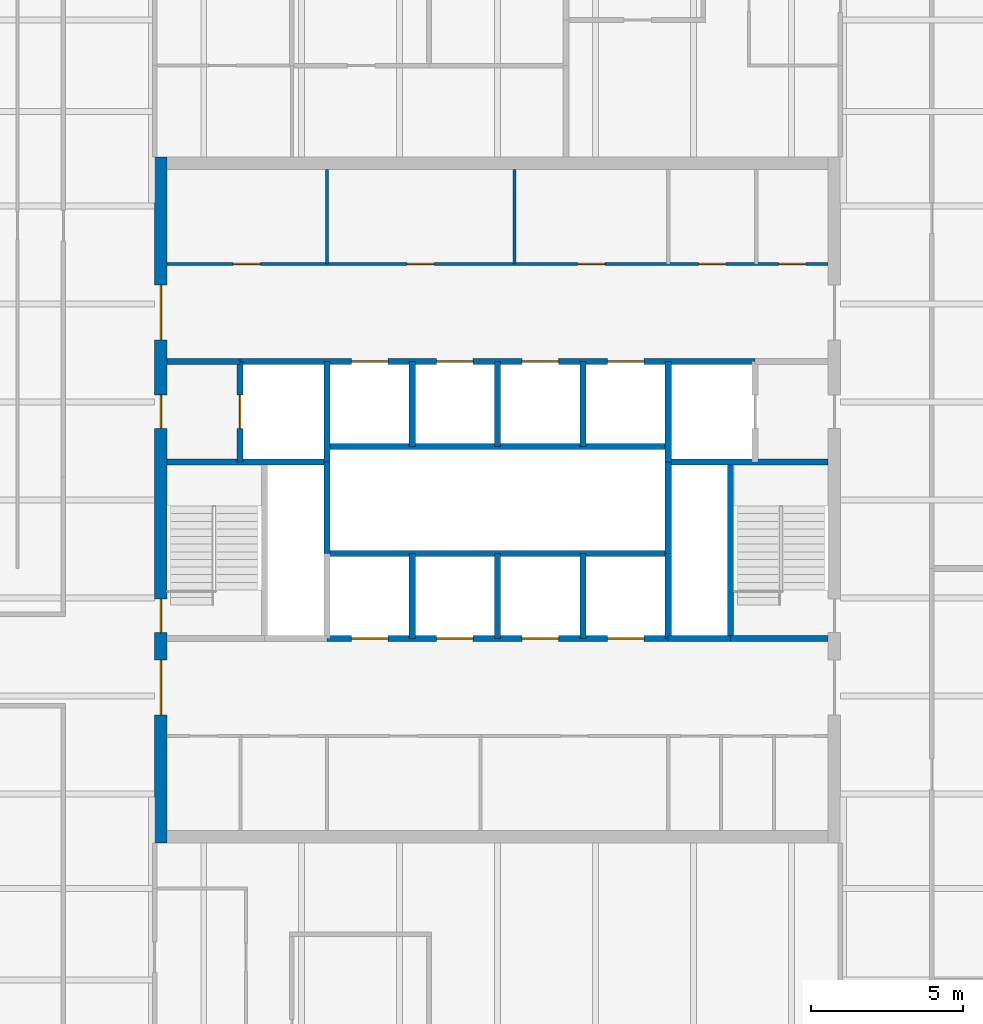
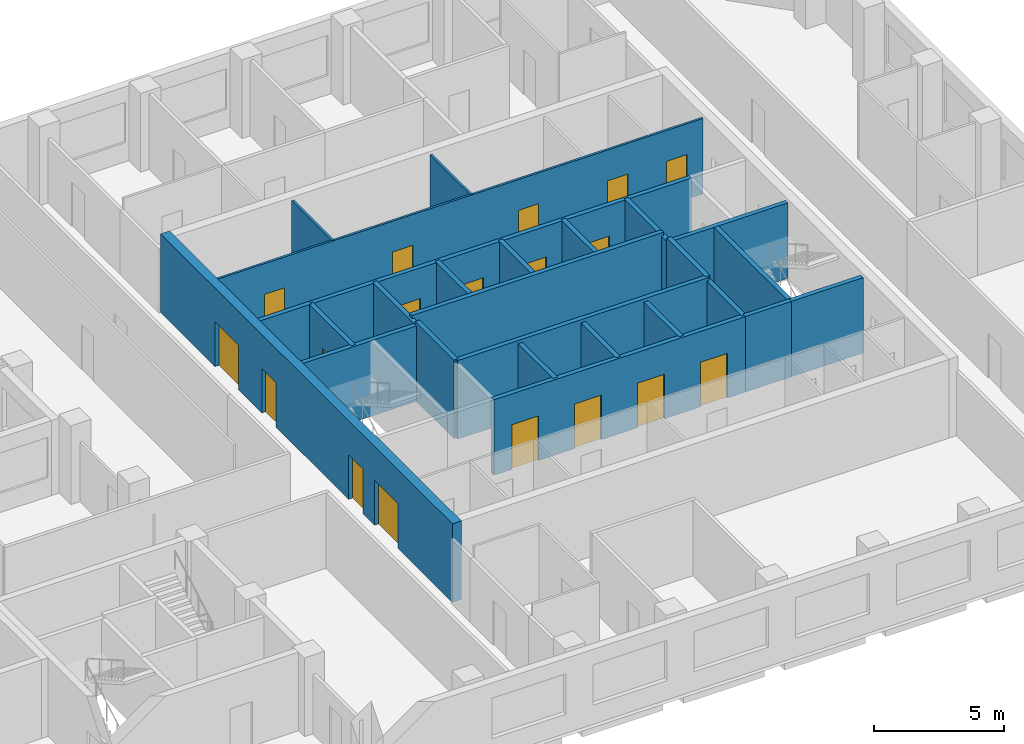
# One storey, part 5 of 9: 26 walls, 18 doors, 18 openings.
"""IFC4 building model written with IfcOpenShell, lengths in metres."""

from ifc_helpers import new_model, si_unit, direction, frame, frame_2d, origin, place, context, subcontext, project, spatial, rectangle, extrude, material, layer, layer_set, type_object, element, fill, save


model = new_model("IFC4")

# Units and contexts
model_context = context("Model", 3, precision=1e-05, world=origin(), true_north=direction((0.0, 1.0)))
body_context = subcontext(model_context, "Body", "Model", "MODEL_VIEW")
ifc_project = project(units=[si_unit("LENGTHUNIT", "METRE"), si_unit("AREAUNIT", "SQUARE_METRE"), si_unit("VOLUMEUNIT", "CUBIC_METRE"), si_unit("PLANEANGLEUNIT", "RADIAN"), si_unit("MASSUNIT", "GRAM", prefix="KILO")], contexts=[model_context])

# Site, building, storey
site_placement = place(None, origin())
site = spatial("IfcSite", under=ifc_project, at=site_placement, CompositionType="ELEMENT")
building_placement = place(site_placement, origin())
building = spatial("IfcBuilding", under=site, at=building_placement, Name="Quoin Convention Tower", CompositionType="ELEMENT")
storey_placement = place(building_placement, frame((0.0, 0.0, 155.10009765625)))
storey = spatial("IfcBuildingStorey", under=building, at=storey_placement, Name="L40", CompositionType="ELEMENT", Elevation=155.10009765625)

# Wall, openings, doors
ifc_material_1 = material(Name="Plasterboard")
ifc_layer_1 = layer(ifc_material_1, 0.012451171875, Name="Finish")
ifc_material_2 = material(Name="Steel stud framing", Category="steel")
ifc_layer_2 = layer(ifc_material_2, 0.074951171875, Name="Structure")
ifc_layer_3 = layer(ifc_material_1, 0.012451171875, Name="Finish")
ifc_layer_set_1 = layer_set([ifc_layer_1, ifc_layer_2, ifc_layer_3], Name="Steel stud framing")
wall_type_1 = type_object("IfcWallType", Name="Core partition wall", PredefinedType="PARTITIONING", material=ifc_layer_set_1)
wall_1_placement = place(storey_placement, frame((45.39990234375, 68.5, 0.0), z_axis=(0.0, 0.0, 1.0), x_axis=(1.0, 0.0, 0.0)))
wall_1 = element("IfcWall", 1, at=wall_1_placement, inside=storey, type_object=wall_type_1, Name="cr-C1-L40-h19000_400", PredefinedType="PARTITIONING", context=body_context, shape_type="SweptSolid", body=[
    extrude(rectangle(XDim=21.7001953125, YDim=0.10009765625, at=frame_2d((10.85009765625, 0.0))), origin(), (0.0, 0.0, 1.0), 3.5498046875),
])
opening_1_placement = place(wall_1_placement, frame((20.06884765625, 0.0, 0.0)))
opening_1 = element("IfcOpeningElement", 2, at=opening_1_placement, cuts=wall_1, Name="Opening DCV2-13", PredefinedType="OPENING", context=body_context, shape_type="SweptSolid", body=[
    extrude(rectangle(XDim=0.89990234375, YDim=2.10009765625, at=frame_2d((0.449951171875, 1.050048828125))), frame((0.0, 0.06005859375, 0.0), z_axis=(0.0, -1.0, 0.0), x_axis=(1.0, 0.0, 0.0)), (0.0, 0.0, 1.0), 0.1201171875),
])
opening_2_placement = place(wall_1_placement, frame((17.44384765625, 0.0, 0.0)))
opening_2 = element("IfcOpeningElement", 3, at=opening_2_placement, cuts=wall_1, Name="Opening DCV2-12", PredefinedType="OPENING", context=body_context, shape_type="SweptSolid", body=[
    extrude(rectangle(XDim=0.89990234375, YDim=2.10009765625, at=frame_2d((0.449951171875, 1.050048828125))), frame((0.0, 0.06005859375, 0.0), z_axis=(0.0, -1.0, 0.0), x_axis=(1.0, 0.0, 0.0)), (0.0, 0.0, 1.0), 0.1201171875),
])
opening_3_placement = place(wall_1_placement, frame((2.175048828125, 0.0, 0.0)))
opening_3 = element("IfcOpeningElement", 4, at=opening_3_placement, cuts=wall_1, Name="Opening DCV2-05", PredefinedType="OPENING", context=body_context, shape_type="SweptSolid", body=[
    extrude(rectangle(XDim=0.89990234375, YDim=2.10009765625, at=frame_2d((0.449951171875, 1.050048828125))), frame((0.0, 0.06005859375, 0.0), z_axis=(0.0, -1.0, 0.0), x_axis=(1.0, 0.0, 0.0)), (0.0, 0.0, 1.0), 0.1201171875),
])
opening_4_placement = place(wall_1_placement, frame((13.47998046875, 0.0, 0.0)))
opening_4 = element("IfcOpeningElement", 5, at=opening_4_placement, cuts=wall_1, Name="Opening DCV2-10", PredefinedType="OPENING", context=body_context, shape_type="SweptSolid", body=[
    extrude(rectangle(XDim=0.89990234375, YDim=2.10009765625, at=frame_2d((0.449951171875, 1.050048828125))), frame((0.0, 0.06005859375, 0.0), z_axis=(0.0, -1.0, 0.0), x_axis=(1.0, 0.0, 0.0)), (0.0, 0.0, 1.0), 0.1201171875),
])
opening_5_placement = place(wall_1_placement, frame((7.8798828125, 0.0, 0.0)))
opening_5 = element("IfcOpeningElement", 6, at=opening_5_placement, cuts=wall_1, Name="Opening DCV2-07", PredefinedType="OPENING", context=body_context, shape_type="SweptSolid", body=[
    extrude(rectangle(XDim=0.89990234375, YDim=2.10009765625, at=frame_2d((0.449951171875, 1.050048828125))), frame((0.0, 0.06005859375, 0.0), z_axis=(0.0, -1.0, 0.0), x_axis=(1.0, 0.0, 0.0)), (0.0, 0.0, 1.0), 0.1201171875),
])
ifc_material_3 = material(Name="Steel door leaf", Category="steel")
door_type_1 = type_object("IfcDoorType", Name="Core room door 900 x 2100", OperationType="SINGLE_SWING_LEFT", PredefinedType="DOOR", material=ifc_material_3)
door_1_placement = place(opening_1_placement, origin())
door_1 = element("IfcDoor", 7, at=door_1_placement, inside=storey, type_object=door_type_1, Name="cd-C1-L40-CNE0-lobB-CD4007", OperationType="SINGLE_SWING_RIGHT", OverallHeight=2.10009765625, OverallWidth=0.89990234375, PredefinedType="DOOR", context=body_context, shape_type="SweptSolid", body=[
    extrude(rectangle(XDim=0.89990234375, YDim=2.10009765625, at=frame_2d((0.449951171875, 1.050048828125))), frame((0.0, 0.02490234375, 0.0), z_axis=(0.0, -1.0, 0.0), x_axis=(1.0, 0.0, 0.0)), (0.0, 0.0, 1.0), 0.050048828125),
])
fill(opening_1, door_1)
door_2_placement = place(opening_2_placement, origin())
door_2 = element("IfcDoor", 8, at=door_2_placement, inside=storey, type_object=door_type_1, Name="cd-C1-L40-CNE1-lobB-CD4008", OperationType="SINGLE_SWING_RIGHT", OverallHeight=2.10009765625, OverallWidth=0.89990234375, PredefinedType="DOOR", context=body_context, shape_type="SweptSolid", body=[
    extrude(rectangle(XDim=0.89990234375, YDim=2.10009765625, at=frame_2d((0.449951171875, 1.050048828125))), frame((0.0, 0.02490234375, 0.0), z_axis=(0.0, -1.0, 0.0), x_axis=(1.0, 0.0, 0.0)), (0.0, 0.0, 1.0), 0.050048828125),
])
fill(opening_2, door_2)
door_3_placement = place(opening_3_placement, origin())
door_3 = element("IfcDoor", 9, at=door_3_placement, inside=storey, type_object=door_type_1, Name="cd-C1-L40-CNW0-lobB-CD4009", OperationType="SINGLE_SWING_RIGHT", OverallHeight=2.10009765625, OverallWidth=0.89990234375, PredefinedType="DOOR", context=body_context, shape_type="SweptSolid", body=[
    extrude(rectangle(XDim=0.89990234375, YDim=2.10009765625, at=frame_2d((0.449951171875, 1.050048828125))), frame((0.0, 0.02490234375, 0.0), z_axis=(0.0, -1.0, 0.0), x_axis=(1.0, 0.0, 0.0)), (0.0, 0.0, 1.0), 0.050048828125),
])
fill(opening_3, door_3)
door_4_placement = place(opening_4_placement, origin())
door_4 = element("IfcDoor", 10, at=door_4_placement, inside=storey, type_object=door_type_1, Name="cd-C1-L40-F40-lobB-CD4017", OperationType="SINGLE_SWING_RIGHT", OverallHeight=2.10009765625, OverallWidth=0.89990234375, PredefinedType="DOOR", context=body_context, shape_type="SweptSolid", body=[
    extrude(rectangle(XDim=0.89990234375, YDim=2.10009765625, at=frame_2d((0.449951171875, 1.050048828125))), frame((0.0, 0.02490234375, 0.0), z_axis=(0.0, -1.0, 0.0), x_axis=(1.0, 0.0, 0.0)), (0.0, 0.0, 1.0), 0.050048828125),
])
fill(opening_4, door_4)
door_5_placement = place(opening_5_placement, origin())
door_5 = element("IfcDoor", 11, at=door_5_placement, inside=storey, type_object=door_type_1, Name="cd-C1-L40-F41-lobB-CD4018", OperationType="SINGLE_SWING_RIGHT", OverallHeight=2.10009765625, OverallWidth=0.89990234375, PredefinedType="DOOR", context=body_context, shape_type="SweptSolid", body=[
    extrude(rectangle(XDim=0.89990234375, YDim=2.10009765625, at=frame_2d((0.449951171875, 1.050048828125))), frame((0.0, 0.02490234375, 0.0), z_axis=(0.0, -1.0, 0.0), x_axis=(1.0, 0.0, 0.0)), (0.0, 0.0, 1.0), 0.050048828125),
])
fill(opening_5, door_5)

# Walls
for number, where, z_axis, x_axis, name in (
    (12, (50.64990234375, 68.5, 0.0), (0.0, 0.0, 1.0), (0.0, 1.0, 0.0), "cr-C1-L40-v5650_19000"),
    (13, (56.81005859375, 68.5, 0.0), (0.0, 0.0, 1.0), (0.0, 1.0, 0.0), "cr-C1-L40-v11810_19000"),
):
    element("IfcWall", number, at=place(storey_placement, frame(where, z_axis=z_axis, x_axis=x_axis)), inside=storey, type_object=wall_type_1, Name=name, PredefinedType="PARTITIONING", context=body_context, shape_type="SweptSolid", body=[
        extrude(rectangle(XDim=3.10009765625, YDim=0.10009765625, at=frame_2d((1.550048828125, 0.0))), origin(), (0.0, 0.0, 1.0), 3.5498046875),
    ])
ifc_material_4 = material(Name="Concrete C50", Category="concrete")
ifc_layer_4 = layer(ifc_material_4, 0.199951171875)
ifc_layer_set_2 = layer_set([ifc_layer_4], Name="Concrete C50")
wall_type_2 = type_object("IfcWallType", Name="Core shaft wall", PredefinedType="SOLIDWALL", material=ifc_layer_set_2)
wall_2_placement = place(storey_placement, frame((61.85009765625, 56.199951171875, 0.0), z_axis=(0.0, 0.0, 1.0), x_axis=(1.0, 0.0, 0.0)))
element("IfcWall", 14, at=wall_2_placement, inside=storey, type_object=wall_type_2, Name="cr-C1-L40-h6700_16850", PredefinedType="SOLIDWALL", context=body_context, shape_type="SweptSolid", body=[
    extrude(rectangle(XDim=2.0498046875, YDim=0.199951171875, at=frame_2d((1.02490234375, 0.0))), origin(), (0.0, 0.0, 1.0), 3.5498046875),
])

# Wall, openings, doors
wall_3_placement = place(storey_placement, frame((50.64990234375, 56.199951171875, 0.0), z_axis=(0.0, 0.0, 1.0), x_axis=(1.0, 0.0, 0.0)))
wall_3 = element("IfcWall", 15, at=wall_3_placement, inside=storey, type_object=wall_type_2, Name="cr-C1-L40-h6700_5650", PredefinedType="SOLIDWALL", context=body_context, shape_type="SweptSolid", body=[
    extrude(rectangle(XDim=11.2001953125, YDim=0.199951171875, at=frame_2d((5.60009765625, 0.0))), origin(), (0.0, 0.0, 1.0), 3.5498046875),
])
opening_6_placement = place(wall_3_placement, frame((0.800048828125, 0.0, 0.0)))
opening_6 = element("IfcOpeningElement", 16, at=opening_6_placement, cuts=wall_3, Name="Opening LDH1", PredefinedType="OPENING", context=body_context, shape_type="SweptSolid", body=[
    extrude(rectangle(XDim=1.199951171875, YDim=2.10009765625, at=frame_2d((0.60009765625, 1.050048828125))), frame((0.0, 0.10986328125, 0.0), z_axis=(0.0, -1.0, 0.0), x_axis=(1.0, 0.0, 0.0)), (0.0, 0.0, 1.0), 0.219970703125),
])
opening_7_placement = place(wall_3_placement, frame((3.60009765625, 0.0, 0.0)))
opening_7 = element("IfcOpeningElement", 17, at=opening_7_placement, cuts=wall_3, Name="Opening LDH2", PredefinedType="OPENING", context=body_context, shape_type="SweptSolid", body=[
    extrude(rectangle(XDim=1.199951171875, YDim=2.10009765625, at=frame_2d((0.60009765625, 1.050048828125))), frame((0.0, 0.10986328125, 0.0), z_axis=(0.0, -1.0, 0.0), x_axis=(1.0, 0.0, 0.0)), (0.0, 0.0, 1.0), 0.219970703125),
])
opening_8_placement = place(wall_3_placement, frame((6.39990234375, 0.0, 0.0)))
opening_8 = element("IfcOpeningElement", 18, at=opening_8_placement, cuts=wall_3, Name="Opening LDH3", PredefinedType="OPENING", context=body_context, shape_type="SweptSolid", body=[
    extrude(rectangle(XDim=1.199951171875, YDim=2.10009765625, at=frame_2d((0.60009765625, 1.050048828125))), frame((0.0, 0.10986328125, 0.0), z_axis=(0.0, -1.0, 0.0), x_axis=(1.0, 0.0, 0.0)), (0.0, 0.0, 1.0), 0.219970703125),
])
opening_9_placement = place(wall_3_placement, frame((9.199951171875, 0.0, 0.0)))
opening_9 = element("IfcOpeningElement", 19, at=opening_9_placement, cuts=wall_3, Name="Opening LDH4", PredefinedType="OPENING", context=body_context, shape_type="SweptSolid", body=[
    extrude(rectangle(XDim=1.199951171875, YDim=2.10009765625, at=frame_2d((0.60009765625, 1.050048828125))), frame((0.0, 0.10986328125, 0.0), z_axis=(0.0, -1.0, 0.0), x_axis=(1.0, 0.0, 0.0)), (0.0, 0.0, 1.0), 0.219970703125),
])
door_type_2 = type_object("IfcDoorType", Name="Lift landing door 1200 x 2100", OperationType="DOUBLE_DOOR_SLIDING", PredefinedType="DOOR", material=ifc_material_3)
door_6_placement = place(opening_6_placement, origin())
door_6 = element("IfcDoor", 20, at=door_6_placement, inside=storey, type_object=door_type_2, Name="cd-C1-L40-R20-lobA-LDH1", OperationType="DOUBLE_DOOR_SLIDING", OverallHeight=2.10009765625, OverallWidth=1.199951171875, PredefinedType="DOOR", context=body_context, shape_type="SweptSolid", body=[
    extrude(rectangle(XDim=1.199951171875, YDim=2.10009765625, at=frame_2d((0.60009765625, 1.050048828125))), frame((0.0, 0.02490234375, 0.0), z_axis=(0.0, -1.0, 0.0), x_axis=(1.0, 0.0, 0.0)), (0.0, 0.0, 1.0), 0.050048828125),
])
fill(opening_6, door_6)
door_7_placement = place(opening_7_placement, origin())
door_7 = element("IfcDoor", 21, at=door_7_placement, inside=storey, type_object=door_type_2, Name="cd-C1-L40-R21-lobA-LDH2", OperationType="DOUBLE_DOOR_SLIDING", OverallHeight=2.10009765625, OverallWidth=1.199951171875, PredefinedType="DOOR", context=body_context, shape_type="SweptSolid", body=[
    extrude(rectangle(XDim=1.199951171875, YDim=2.10009765625, at=frame_2d((0.60009765625, 1.050048828125))), frame((0.0, 0.02490234375, 0.0), z_axis=(0.0, -1.0, 0.0), x_axis=(1.0, 0.0, 0.0)), (0.0, 0.0, 1.0), 0.050048828125),
])
fill(opening_7, door_7)
door_8_placement = place(opening_8_placement, origin())
door_8 = element("IfcDoor", 22, at=door_8_placement, inside=storey, type_object=door_type_2, Name="cd-C1-L40-R22-lobA-LDH3", OperationType="DOUBLE_DOOR_SLIDING", OverallHeight=2.10009765625, OverallWidth=1.199951171875, PredefinedType="DOOR", context=body_context, shape_type="SweptSolid", body=[
    extrude(rectangle(XDim=1.199951171875, YDim=2.10009765625, at=frame_2d((0.60009765625, 1.050048828125))), frame((0.0, 0.02490234375, 0.0), z_axis=(0.0, -1.0, 0.0), x_axis=(1.0, 0.0, 0.0)), (0.0, 0.0, 1.0), 0.050048828125),
])
fill(opening_8, door_8)
door_9_placement = place(opening_9_placement, origin())
door_9 = element("IfcDoor", 23, at=door_9_placement, inside=storey, type_object=door_type_2, Name="cd-C1-L40-R23-lobA-LDH4", OperationType="DOUBLE_DOOR_SLIDING", OverallHeight=2.10009765625, OverallWidth=1.199951171875, PredefinedType="DOOR", context=body_context, shape_type="SweptSolid", body=[
    extrude(rectangle(XDim=1.199951171875, YDim=2.10009765625, at=frame_2d((0.60009765625, 1.050048828125))), frame((0.0, 0.02490234375, 0.0), z_axis=(0.0, -1.0, 0.0), x_axis=(1.0, 0.0, 0.0)), (0.0, 0.0, 1.0), 0.050048828125),
])
fill(opening_9, door_9)

# Walls
wall_4_placement = place(storey_placement, frame((63.89990234375, 56.199951171875, 0.0), z_axis=(0.0, 0.0, 1.0), x_axis=(1.0, 0.0, 0.0)))
element("IfcWall", 24, at=wall_4_placement, inside=storey, type_object=wall_type_2, Name="cr-C1-L40-h6700_18900", PredefinedType="SOLIDWALL", context=body_context, shape_type="SweptSolid", body=[
    extrude(rectangle(XDim=3.2001953125, YDim=0.199951171875, at=frame_2d((1.60009765625, 0.0))), origin(), (0.0, 0.0, 1.0), 3.5498046875),
])
for number, where, z_axis, x_axis, name in (
    (25, (45.39990234375, 62.0, 0.0), (0.0, 0.0, 1.0), (1.0, 0.0, 0.0), "cr-C1-L40-h12500_400"),
    (26, (61.85009765625, 62.0, 0.0), (0.0, 0.0, 1.0), (1.0, 0.0, 0.0), "cr-C1-L40-h12500_16850"),
):
    element("IfcWall", number, at=place(storey_placement, frame(where, z_axis=z_axis, x_axis=x_axis)), inside=storey, type_object=wall_type_2, Name=name, PredefinedType="SOLIDWALL", context=body_context, shape_type="SweptSolid", body=[
        extrude(rectangle(XDim=5.25, YDim=0.199951171875, at=frame_2d((2.625, 0.0))), origin(), (0.0, 0.0, 1.0), 3.5498046875),
    ])
wall_5_placement = place(storey_placement, frame((45.39990234375, 65.300048828125, 0.0), z_axis=(0.0, 0.0, 1.0), x_axis=(1.0, 0.0, 0.0)))
element("IfcWall", 27, at=wall_5_placement, inside=storey, type_object=wall_type_2, Name="cr-C1-L40-h15800_400", PredefinedType="SOLIDWALL", context=body_context, shape_type="SweptSolid", body=[
    extrude(rectangle(XDim=2.400146484375, YDim=0.199951171875, at=frame_2d((1.2001953125, 0.0))), origin(), (0.0, 0.0, 1.0), 3.5498046875),
])

# Wall, openings, doors
wall_6_placement = place(storey_placement, frame((47.800048828125, 65.300048828125, 0.0), z_axis=(0.0, 0.0, 1.0), x_axis=(1.0, 0.0, 0.0)))
wall_6 = element("IfcWall", 28, at=wall_6_placement, inside=storey, type_object=wall_type_2, Name="cr-C1-L40-h15800_2800", PredefinedType="SOLIDWALL", context=body_context, shape_type="SweptSolid", body=[
    extrude(rectangle(XDim=16.89990234375, YDim=0.199951171875, at=frame_2d((8.449951171875, 0.0))), origin(), (0.0, 0.0, 1.0), 3.5498046875),
])
opening_10_placement = place(wall_6_placement, frame((3.64990234375, 0.0, 0.0)))
opening_10 = element("IfcOpeningElement", 29, at=opening_10_placement, cuts=wall_6, Name="Opening LDH5", PredefinedType="OPENING", context=body_context, shape_type="SweptSolid", body=[
    extrude(rectangle(XDim=1.199951171875, YDim=2.10009765625, at=frame_2d((0.60009765625, 1.050048828125))), frame((0.0, 0.10986328125, 0.0), z_axis=(0.0, -1.0, 0.0), x_axis=(1.0, 0.0, 0.0)), (0.0, 0.0, 1.0), 0.219970703125),
])
opening_11_placement = place(wall_6_placement, frame((6.449951171875, 0.0, 0.0)))
opening_11 = element("IfcOpeningElement", 30, at=opening_11_placement, cuts=wall_6, Name="Opening LDH6", PredefinedType="OPENING", context=body_context, shape_type="SweptSolid", body=[
    extrude(rectangle(XDim=1.199951171875, YDim=2.10009765625, at=frame_2d((0.60009765625, 1.050048828125))), frame((0.0, 0.10986328125, 0.0), z_axis=(0.0, -1.0, 0.0), x_axis=(1.0, 0.0, 0.0)), (0.0, 0.0, 1.0), 0.219970703125),
])
opening_12_placement = place(wall_6_placement, frame((9.25, 0.0, 0.0)))
opening_12 = element("IfcOpeningElement", 31, at=opening_12_placement, cuts=wall_6, Name="Opening LDH7", PredefinedType="OPENING", context=body_context, shape_type="SweptSolid", body=[
    extrude(rectangle(XDim=1.199951171875, YDim=2.10009765625, at=frame_2d((0.60009765625, 1.050048828125))), frame((0.0, 0.10986328125, 0.0), z_axis=(0.0, -1.0, 0.0), x_axis=(1.0, 0.0, 0.0)), (0.0, 0.0, 1.0), 0.219970703125),
])
opening_13_placement = place(wall_6_placement, frame((12.050048828125, 0.0, 0.0)))
opening_13 = element("IfcOpeningElement", 32, at=opening_13_placement, cuts=wall_6, Name="Opening LDH8", PredefinedType="OPENING", context=body_context, shape_type="SweptSolid", body=[
    extrude(rectangle(XDim=1.199951171875, YDim=2.10009765625, at=frame_2d((0.60009765625, 1.050048828125))), frame((0.0, 0.10986328125, 0.0), z_axis=(0.0, -1.0, 0.0), x_axis=(1.0, 0.0, 0.0)), (0.0, 0.0, 1.0), 0.219970703125),
])
door_10_placement = place(opening_10_placement, origin())
door_10 = element("IfcDoor", 33, at=door_10_placement, inside=storey, type_object=door_type_2, Name="cd-C1-L40-R30-lobB-LDH5", OperationType="DOUBLE_DOOR_SLIDING", OverallHeight=2.10009765625, OverallWidth=1.199951171875, PredefinedType="DOOR", context=body_context, shape_type="SweptSolid", body=[
    extrude(rectangle(XDim=1.199951171875, YDim=2.10009765625, at=frame_2d((0.60009765625, 1.050048828125))), frame((0.0, 0.02490234375, 0.0), z_axis=(0.0, -1.0, 0.0), x_axis=(1.0, 0.0, 0.0)), (0.0, 0.0, 1.0), 0.050048828125),
])
fill(opening_10, door_10)
door_11_placement = place(opening_11_placement, origin())
door_11 = element("IfcDoor", 34, at=door_11_placement, inside=storey, type_object=door_type_2, Name="cd-C1-L40-R31-lobB-LDH6", OperationType="DOUBLE_DOOR_SLIDING", OverallHeight=2.10009765625, OverallWidth=1.199951171875, PredefinedType="DOOR", context=body_context, shape_type="SweptSolid", body=[
    extrude(rectangle(XDim=1.199951171875, YDim=2.10009765625, at=frame_2d((0.60009765625, 1.050048828125))), frame((0.0, 0.02490234375, 0.0), z_axis=(0.0, -1.0, 0.0), x_axis=(1.0, 0.0, 0.0)), (0.0, 0.0, 1.0), 0.050048828125),
])
fill(opening_11, door_11)
door_12_placement = place(opening_12_placement, origin())
door_12 = element("IfcDoor", 35, at=door_12_placement, inside=storey, type_object=door_type_2, Name="cd-C1-L40-R32-lobB-LDH7", OperationType="DOUBLE_DOOR_SLIDING", OverallHeight=2.10009765625, OverallWidth=1.199951171875, PredefinedType="DOOR", context=body_context, shape_type="SweptSolid", body=[
    extrude(rectangle(XDim=1.199951171875, YDim=2.10009765625, at=frame_2d((0.60009765625, 1.050048828125))), frame((0.0, 0.02490234375, 0.0), z_axis=(0.0, -1.0, 0.0), x_axis=(1.0, 0.0, 0.0)), (0.0, 0.0, 1.0), 0.050048828125),
])
fill(opening_12, door_12)
door_13_placement = place(opening_13_placement, origin())
door_13 = element("IfcDoor", 36, at=door_13_placement, inside=storey, type_object=door_type_2, Name="cd-C1-L40-R33-lobB-LDH8", OperationType="DOUBLE_DOOR_SLIDING", OverallHeight=2.10009765625, OverallWidth=1.199951171875, PredefinedType="DOOR", context=body_context, shape_type="SweptSolid", body=[
    extrude(rectangle(XDim=1.199951171875, YDim=2.10009765625, at=frame_2d((0.60009765625, 1.050048828125))), frame((0.0, 0.02490234375, 0.0), z_axis=(0.0, -1.0, 0.0), x_axis=(1.0, 0.0, 0.0)), (0.0, 0.0, 1.0), 0.050048828125),
])
fill(opening_13, door_13)

# Wall, opening, door
wall_7_placement = place(storey_placement, frame((47.800048828125, 62.0, 0.0), z_axis=(0.0, 0.0, 1.0), x_axis=(0.0, 1.0, 0.0)))
wall_7 = element("IfcWall", 37, at=wall_7_placement, inside=storey, type_object=wall_type_2, Name="cr-C1-L40-v2800_12500", PredefinedType="SOLIDWALL", context=body_context, shape_type="SweptSolid", body=[
    extrude(rectangle(XDim=3.300048828125, YDim=0.199951171875, at=frame_2d((1.64990234375, 0.0))), origin(), (0.0, 0.0, 1.0), 3.5498046875),
])
opening_14_placement = place(wall_7_placement, frame((1.10009765625, 0.0, 0.0)))
opening_14 = element("IfcOpeningElement", 38, at=opening_14_placement, cuts=wall_7, Name="Opening LDFL1", PredefinedType="OPENING", context=body_context, shape_type="SweptSolid", body=[
    extrude(rectangle(XDim=1.10009765625, YDim=2.10009765625, at=frame_2d((0.550048828125, 1.050048828125))), frame((0.0, 0.10986328125, 0.0), z_axis=(0.0, -1.0, 0.0), x_axis=(1.0, 0.0, 0.0)), (0.0, 0.0, 1.0), 0.219970703125),
])
door_type_3 = type_object("IfcDoorType", Name="Lift landing door 1100 x 2100", OperationType="DOUBLE_DOOR_SLIDING", PredefinedType="DOOR", material=ifc_material_3)
door_14_placement = place(opening_14_placement, origin())
door_14 = element("IfcDoor", 39, at=door_14_placement, inside=storey, type_object=door_type_3, Name="cd-C1-L40-FLW-FFW-LDFL1", OperationType="DOUBLE_DOOR_SLIDING", OverallHeight=2.10009765625, OverallWidth=1.10009765625, PredefinedType="DOOR", context=body_context, shape_type="SweptSolid", body=[
    extrude(rectangle(XDim=1.10009765625, YDim=2.10009765625, at=frame_2d((0.550048828125, 1.050048828125))), frame((0.0, 0.02490234375, 0.0), z_axis=(0.0, -1.0, 0.0), x_axis=(1.0, 0.0, 0.0)), (0.0, 0.0, 1.0), 0.050048828125),
])
fill(opening_14, door_14)

# Walls
wall_8_placement = place(storey_placement, frame((50.64990234375, 62.0, 0.0), z_axis=(0.0, 0.0, 1.0), x_axis=(0.0, 1.0, 0.0)))
element("IfcWall", 40, at=wall_8_placement, inside=storey, type_object=wall_type_2, Name="cr-C1-L40-v5650_12500", PredefinedType="SOLIDWALL", context=body_context, shape_type="SweptSolid", body=[
    extrude(rectangle(XDim=3.300048828125, YDim=0.199951171875, at=frame_2d((1.64990234375, 0.0))), origin(), (0.0, 0.0, 1.0), 3.5498046875),
])
for number, where, z_axis, x_axis, name in (
    (41, (53.449951171875, 56.199951171875, 0.0), (0.0, 0.0, 1.0), (0.0, 1.0, 0.0), "cr-C1-L40-v8450_6700"),
    (42, (53.449951171875, 62.5, 0.0), (0.0, 0.0, 1.0), (0.0, 1.0, 0.0), "cr-C1-L40-v8450_13000"),
    (43, (56.25, 56.199951171875, 0.0), (0.0, 0.0, 1.0), (0.0, 1.0, 0.0), "cr-C1-L40-v11250_6700"),
    (44, (56.25, 62.5, 0.0), (0.0, 0.0, 1.0), (0.0, 1.0, 0.0), "cr-C1-L40-v11250_13000"),
    (45, (59.050048828125, 56.199951171875, 0.0), (0.0, 0.0, 1.0), (0.0, 1.0, 0.0), "cr-C1-L40-v14050_6700"),
    (46, (59.050048828125, 62.5, 0.0), (0.0, 0.0, 1.0), (0.0, 1.0, 0.0), "cr-C1-L40-v14050_13000"),
    (47, (61.85009765625, 56.199951171875, 0.0), (0.0, 0.0, 1.0), (0.0, 1.0, 0.0), "cr-C1-L40-v16850_6700"),
):
    element("IfcWall", number, at=place(storey_placement, frame(where, z_axis=z_axis, x_axis=x_axis)), inside=storey, type_object=wall_type_2, Name=name, PredefinedType="SOLIDWALL", context=body_context, shape_type="SweptSolid", body=[
        extrude(rectangle(XDim=2.800048828125, YDim=0.199951171875, at=frame_2d((1.39990234375, 0.0))), origin(), (0.0, 0.0, 1.0), 3.5498046875),
    ])
wall_9_placement = place(storey_placement, frame((61.85009765625, 62.0, 0.0), z_axis=(0.0, 0.0, 1.0), x_axis=(0.0, 1.0, 0.0)))
element("IfcWall", 48, at=wall_9_placement, inside=storey, type_object=wall_type_2, Name="cr-C1-L40-v16850_12500", PredefinedType="SOLIDWALL", context=body_context, shape_type="SweptSolid", body=[
    extrude(rectangle(XDim=3.300048828125, YDim=0.199951171875, at=frame_2d((1.64990234375, 0.0))), origin(), (0.0, 0.0, 1.0), 3.5498046875),
])
wall_10_placement = place(storey_placement, frame((63.89990234375, 56.199951171875, 0.0), z_axis=(0.0, 0.0, 1.0), x_axis=(0.0, 1.0, 0.0)))
element("IfcWall", 49, at=wall_10_placement, inside=storey, type_object=wall_type_2, Name="cr-C1-L40-v18900_6700", PredefinedType="SOLIDWALL", context=body_context, shape_type="SweptSolid", body=[
    extrude(rectangle(XDim=5.800048828125, YDim=0.199951171875, at=frame_2d((2.89990234375, 0.0))), origin(), (0.0, 0.0, 1.0), 3.5498046875),
])
ifc_layer_5 = layer(ifc_material_4, 0.199951171875)
ifc_layer_set_3 = layer_set([ifc_layer_5], Name="Concrete C50")
wall_type_3 = type_object("IfcWallType", Name="Core shaft wall to the floor level over", PredefinedType="SOLIDWALL", material=ifc_layer_set_3)
for number, where, z_axis, x_axis, name in (
    (50, (50.64990234375, 59.0, 0.0), (0.0, 0.0, 1.0), (1.0, 0.0, 0.0), "cr-C1-L40-h9500_5650"),
    (51, (50.64990234375, 62.5, 0.0), (0.0, 0.0, 1.0), (1.0, 0.0, 0.0), "cr-C1-L40-h13000_5650"),
):
    element("IfcWall", number, at=place(storey_placement, frame(where, z_axis=z_axis, x_axis=x_axis)), inside=storey, type_object=wall_type_3, Name=name, PredefinedType="SOLIDWALL", context=body_context, shape_type="SweptSolid", body=[
        extrude(rectangle(XDim=11.2001953125, YDim=0.199951171875, at=frame_2d((5.60009765625, 0.0))), origin(), (0.0, 0.0, 1.0), 3.699951171875),
    ])
for number, where, z_axis, x_axis, name in (
    (52, (50.64990234375, 59.0, 0.0), (0.0, 0.0, 1.0), (0.0, 1.0, 0.0), "cr-C1-L40-v5650_9500"),
    (53, (61.85009765625, 59.0, 0.0), (0.0, 0.0, 1.0), (0.0, 1.0, 0.0), "cr-C1-L40-v16850_9500"),
):
    element("IfcWall", number, at=place(storey_placement, frame(where, z_axis=z_axis, x_axis=x_axis)), inside=storey, type_object=wall_type_3, Name=name, PredefinedType="SOLIDWALL", context=body_context, shape_type="SweptSolid", body=[
        extrude(rectangle(XDim=3.0, YDim=0.199951171875, at=frame_2d((1.5, 0.0))), origin(), (0.0, 0.0, 1.0), 3.699951171875),
    ])

# Wall, openings, doors
ifc_layer_6 = layer(ifc_material_4, 0.39990234375)
ifc_layer_set_4 = layer_set([ifc_layer_6], Name="Concrete C50")
wall_type_4 = type_object("IfcWallType", Name="RC CORE WALL 400 C50", PredefinedType="SHEAR", material=ifc_layer_set_4)
wall_11_placement = place(storey_placement, frame((45.199951171875, 49.5, 0.0), z_axis=(0.0, 0.0, 1.0), x_axis=(0.0, 1.0, 0.0)))
wall_11 = element("IfcWall", 54, at=wall_11_placement, inside=storey, type_object=wall_type_4, Name="cwl-C1-L40-W", PredefinedType="SHEAR", context=body_context, shape_type="SweptSolid", body=[
    extrude(rectangle(XDim=22.5, YDim=0.39990234375, at=frame_2d((11.25, 0.0))), origin(), (0.0, 0.0, 1.0), 3.699951171875),
])
opening_15_placement = place(wall_11_placement, frame((4.199951171875, 0.0, 0.0)))
opening_15 = element("IfcOpeningElement", 55, at=opening_15_placement, cuts=wall_11, Name="Opening DCV2-40", PredefinedType="OPENING", context=body_context, shape_type="SweptSolid", body=[
    extrude(rectangle(XDim=1.800048828125, YDim=2.10009765625, at=frame_2d((0.89990234375, 1.050048828125))), frame((0.0, 0.2099609375, 0.0), z_axis=(0.0, -1.0, 0.0), x_axis=(1.0, 0.0, 0.0)), (0.0, 0.0, 1.0), 0.419921875),
])
opening_16_placement = place(wall_11_placement, frame((6.89990234375, 0.0, 0.0)))
opening_16 = element("IfcOpeningElement", 56, at=opening_16_placement, cuts=wall_11, Name="Opening SD1", PredefinedType="OPENING", context=body_context, shape_type="SweptSolid", body=[
    extrude(rectangle(XDim=1.10009765625, YDim=2.10009765625, at=frame_2d((0.550048828125, 1.050048828125))), frame((0.0, 0.2099609375, 0.0), z_axis=(0.0, -1.0, 0.0), x_axis=(1.0, 0.0, 0.0)), (0.0, 0.0, 1.0), 0.419921875),
])
opening_17_placement = place(wall_11_placement, frame((13.60009765625, 0.0, 0.0)))
opening_17 = element("IfcOpeningElement", 57, at=opening_17_placement, cuts=wall_11, Name="Opening DCV2-39", PredefinedType="OPENING", context=body_context, shape_type="SweptSolid", body=[
    extrude(rectangle(XDim=1.10009765625, YDim=2.10009765625, at=frame_2d((0.550048828125, 1.050048828125))), frame((0.0, 0.2099609375, 0.0), z_axis=(0.0, -1.0, 0.0), x_axis=(1.0, 0.0, 0.0)), (0.0, 0.0, 1.0), 0.419921875),
])
opening_18_placement = place(wall_11_placement, frame((16.5, 0.0, 0.0)))
opening_18 = element("IfcOpeningElement", 58, at=opening_18_placement, cuts=wall_11, Name="Opening DCV2-40", PredefinedType="OPENING", context=body_context, shape_type="SweptSolid", body=[
    extrude(rectangle(XDim=1.800048828125, YDim=2.10009765625, at=frame_2d((0.89990234375, 1.050048828125))), frame((0.0, 0.2099609375, 0.0), z_axis=(0.0, -1.0, 0.0), x_axis=(1.0, 0.0, 0.0)), (0.0, 0.0, 1.0), 0.419921875),
])
door_type_4 = type_object("IfcDoorType", Name="Fire-fighting lobby door 1100 x 2100", OperationType="SINGLE_SWING_LEFT", PredefinedType="DOOR", material=ifc_material_3)
door_15_placement = place(opening_17_placement, frame((1.10009765625, 0.0, 0.0), z_axis=(0.0, 0.0, 1.0), x_axis=(-1.0, 0.0, 0.0)))
door_15 = element("IfcDoor", 59, at=door_15_placement, inside=storey, type_object=door_type_4, Name="cd-C1-L40-FFW-W", OperationType="SINGLE_SWING_LEFT", OverallHeight=2.10009765625, OverallWidth=1.10009765625, PredefinedType="DOOR", context=body_context, shape_type="SweptSolid", body=[
    extrude(rectangle(XDim=1.10009765625, YDim=2.10009765625, at=frame_2d((0.550048828125, 1.050048828125))), frame((0.0, 0.02490234375, 0.0), z_axis=(0.0, -1.0, 0.0), x_axis=(1.0, 0.0, 0.0)), (0.0, 0.0, 1.0), 0.050048828125),
])
fill(opening_17, door_15)
door_type_5 = type_object("IfcDoorType", Name="Lift lobby door 1800 x 2100", OperationType="SINGLE_SWING_LEFT", PredefinedType="DOOR", material=ifc_material_3)
door_16_placement = place(opening_15_placement, frame((1.800048828125, 0.0, 0.0), z_axis=(0.0, 0.0, 1.0), x_axis=(-1.0, 0.0, 0.0)))
door_16 = element("IfcDoor", 60, at=door_16_placement, inside=storey, type_object=door_type_5, Name="cd-C1-L40-lobA-W", OperationType="SINGLE_SWING_LEFT", OverallHeight=2.10009765625, OverallWidth=1.800048828125, PredefinedType="DOOR", context=body_context, shape_type="SweptSolid", body=[
    extrude(rectangle(XDim=1.800048828125, YDim=2.10009765625, at=frame_2d((0.89990234375, 1.050048828125))), frame((0.0, 0.02490234375, 0.0), z_axis=(0.0, -1.0, 0.0), x_axis=(1.0, 0.0, 0.0)), (0.0, 0.0, 1.0), 0.050048828125),
])
fill(opening_15, door_16)
door_17_placement = place(opening_18_placement, frame((1.800048828125, 0.0, 0.0), z_axis=(0.0, 0.0, 1.0), x_axis=(-1.0, 0.0, 0.0)))
door_17 = element("IfcDoor", 61, at=door_17_placement, inside=storey, type_object=door_type_5, Name="cd-C1-L40-lobB-W", OperationType="SINGLE_SWING_LEFT", OverallHeight=2.10009765625, OverallWidth=1.800048828125, PredefinedType="DOOR", context=body_context, shape_type="SweptSolid", body=[
    extrude(rectangle(XDim=1.800048828125, YDim=2.10009765625, at=frame_2d((0.89990234375, 1.050048828125))), frame((0.0, 0.02490234375, 0.0), z_axis=(0.0, -1.0, 0.0), x_axis=(1.0, 0.0, 0.0)), (0.0, 0.0, 1.0), 0.050048828125),
])
fill(opening_18, door_17)
door_type_6 = type_object("IfcDoorType", Name="Stair door 1100 x 2100", OperationType="SINGLE_SWING_RIGHT", PredefinedType="DOOR", material=ifc_material_3)
door_18_placement = place(opening_16_placement, frame((1.10009765625, 0.0, 0.0), z_axis=(0.0, 0.0, 1.0), x_axis=(-1.0, 0.0, 0.0)))
door_18 = element("IfcDoor", 62, at=door_18_placement, inside=storey, type_object=door_type_6, Name="cd-C1-L40-STW-W", OperationType="SINGLE_SWING_RIGHT", OverallHeight=2.10009765625, OverallWidth=1.10009765625, PredefinedType="DOOR", context=body_context, shape_type="SweptSolid", body=[
    extrude(rectangle(XDim=1.10009765625, YDim=2.10009765625, at=frame_2d((0.550048828125, 1.050048828125))), frame((0.0, 0.02490234375, 0.0), z_axis=(0.0, -1.0, 0.0), x_axis=(1.0, 0.0, 0.0)), (0.0, 0.0, 1.0), 0.050048828125),
])
fill(opening_16, door_18)

save(model, "model.ifc")
